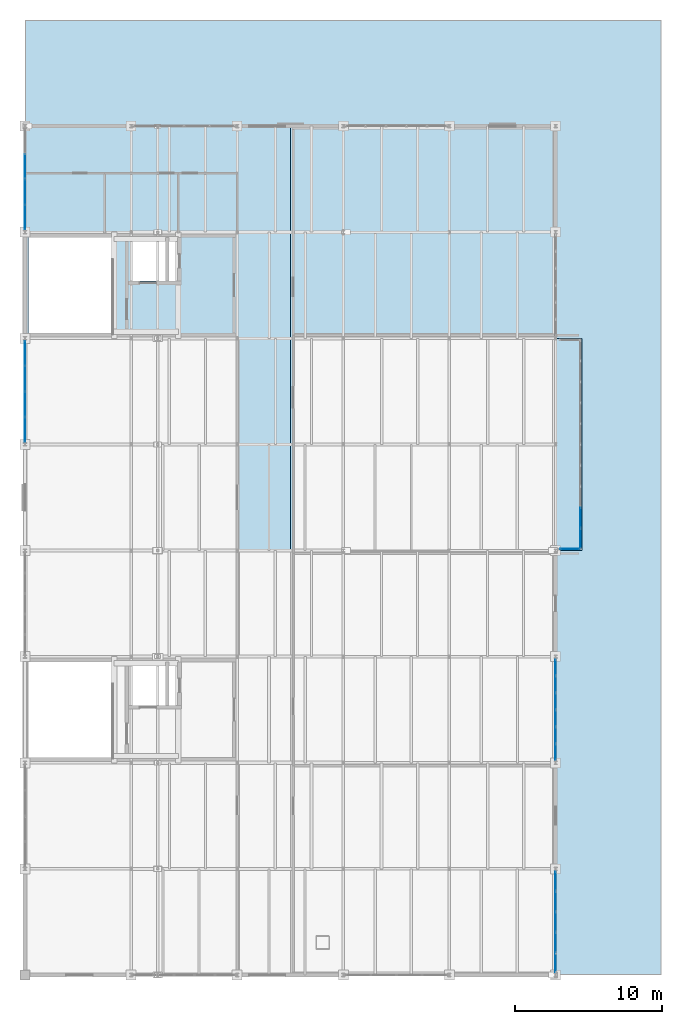
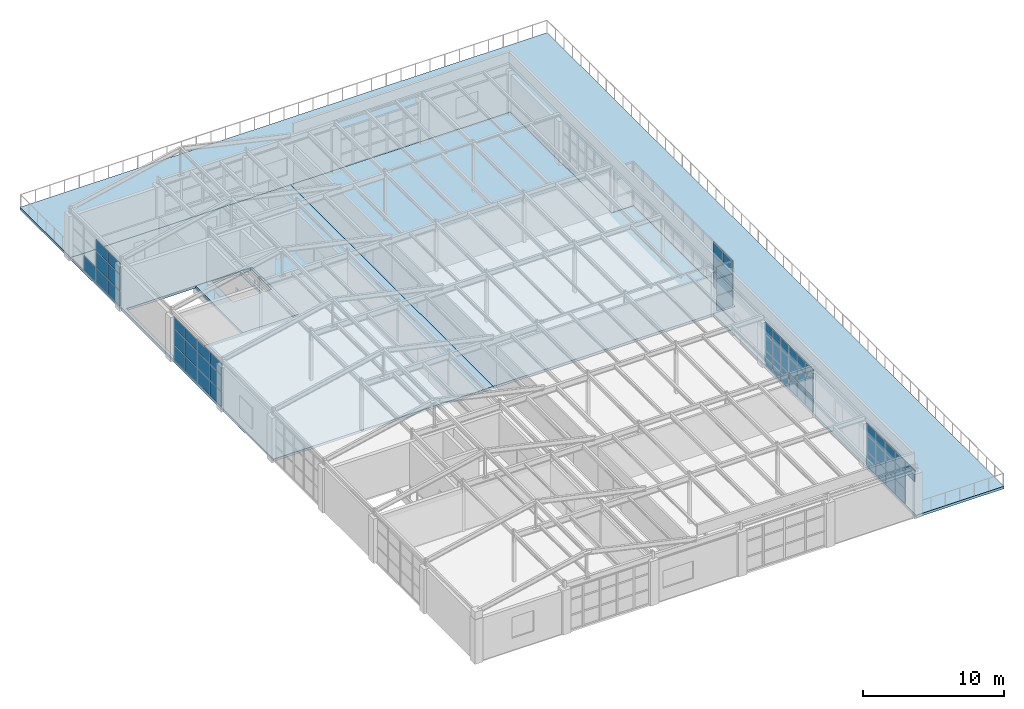
# One storey, part 37 of 43: 59 plates, 4 slabs, 6 elements without a shape of their own.
"""IFC4 building model written with IfcOpenShell, lengths in metres."""

import ifcopenshell
import ifcopenshell.guid

model = None  # the IFC model being written
_history = None  # IfcOwnerHistory: only IFC2X3 demands one
_inside = {}  # id of a spatial element -> (the spatial element, [elements in it])
_under = {}  # id of a project, library or spatial element -> (it, [spatial elements below it])
_declared = {}  # id of a project -> (the project, [libraries it declares])
_typed = {}  # id of a type object -> (the type object, [elements of that type])
_made_of = {}  # id of a material, layer set ... -> (it, [elements and type objects made of it])


def new_model(schema):
    """Start an empty IFC model of exactly this schema.

    Asked for "IFC4X3", IfcOpenShell would pick the latest addendum, in which some entities
    have other attributes; the version numbers below select the first issue.
    IFC2X3 requires an IfcOwnerHistory on every rooted entity: one is made here for all.
    """
    global model, _history
    if schema == "IFC4X3":
        model = ifcopenshell.file(schema_version=(4, 3, 0, 0))
    else:
        model = ifcopenshell.file(schema=schema)
    _inside.clear()
    _under.clear()
    _declared.clear()
    _typed.clear()
    _made_of.clear()
    _history = None
    if model.schema == "IFC2X3":
        org = make("IfcOrganization", Name="unknown")
        user = make(
            "IfcPersonAndOrganization",
            ThePerson=make("IfcPerson", FamilyName="unknown"),
            TheOrganization=org,
        )
        app = make(
            "IfcApplication",
            ApplicationDeveloper=org,
            Version="unknown",
            ApplicationFullName="unknown",
            ApplicationIdentifier="unknown",
        )
        _history = make(
            "IfcOwnerHistory",
            OwningUser=user,
            OwningApplication=app,
            ChangeAction="ADDED",
            CreationDate=0,
        )
    return model


def make(cls, **values):
    """One entity of the class cls with the attributes given. An attribute that is None is left unset."""
    return model.create_entity(
        cls, **{name: value for name, value in values.items() if value is not None}
    )


def rooted(cls, **values):
    """An entity with a GlobalId (a new one), such as an element, a storey or a relation."""
    return make(cls, GlobalId=ifcopenshell.guid.new(), OwnerHistory=_history, **values)


def si_unit(unit_type, name, prefix=None):
    """IfcSIUnit, for example si_unit("LENGTHUNIT", "METRE", prefix="MILLI")."""
    return make("IfcSIUnit", UnitType=unit_type, Prefix=prefix, Name=name)


def assignment(units):
    """IfcUnitAssignment: the units of a project."""
    return None if units is None else make("IfcUnitAssignment", Units=units)


def point(xyz):
    """IfcCartesianPoint."""
    return None if xyz is None else make("IfcCartesianPoint", Coordinates=xyz)


def direction(xyz):
    """IfcDirection."""
    return None if xyz is None else make("IfcDirection", DirectionRatios=xyz)


def frame(location, z_axis=None, x_axis=None):
    """IfcAxis2Placement3D, a coordinate frame: its origin and axes. An axis left out is left unset."""
    return make(
        "IfcAxis2Placement3D",
        Location=point(location),
        Axis=direction(z_axis),
        RefDirection=direction(x_axis),
    )


def frame_2d(location, x_axis=None):
    """IfcAxis2Placement2D, a coordinate frame in the plane: its origin and x axis."""
    return make(
        "IfcAxis2Placement2D", Location=point(location), RefDirection=direction(x_axis)
    )


def origin():
    """The frame at (0, 0, 0) with its axes left unset."""
    return frame((0.0, 0.0, 0.0))


def origin_2d():
    """The frame at (0, 0) in the plane with its x axis left unset."""
    return frame_2d((0.0, 0.0))


def place(relative_to, where):
    """IfcLocalPlacement: puts the frame where relative to a parent placement (None: the world)."""
    return make(
        "IfcLocalPlacement", PlacementRelTo=relative_to, RelativePlacement=where
    )


def context(
    kind, dimensions, precision=None, world=None, true_north=None, identifier=None
):
    """IfcGeometricRepresentationContext, for example the 3D "Model" context."""
    return make(
        "IfcGeometricRepresentationContext",
        ContextIdentifier=identifier,
        ContextType=kind,
        CoordinateSpaceDimension=dimensions,
        Precision=precision,
        WorldCoordinateSystem=world,
        TrueNorth=true_north,
    )


def subcontext(parent, identifier, kind, view, scale=None):
    """IfcGeometricRepresentationSubContext, for example "Body" below "Model"."""
    return make(
        "IfcGeometricRepresentationSubContext",
        ContextIdentifier=identifier,
        ContextType=kind,
        ParentContext=parent,
        TargetScale=scale,
        TargetView=view,
    )


def project(units=None, contexts=None):
    """IfcProject with its units and contexts."""
    return rooted(
        "IfcProject",
        Name="project",
        RepresentationContexts=contexts,
        UnitsInContext=assignment(units),
    )


def spatial(cls, under=None, at=None, **own):
    """A site, building, storey or space (cls), placed at a placement, below another one or the project."""
    s = rooted(cls, ObjectPlacement=at, **own)
    if under is not None:
        _under.setdefault(under.id(), (under, []))[1].append(s)
    return s


def polyline(points):
    """IfcPolyline through the points."""
    return make("IfcPolyline", Points=[point(p) for p in points])


def profile(cls, at=None, kind="AREA", **sizes):
    """A parametric profile (cls). Its sizes go by their IFC names, for example OverallWidth=200.0."""
    return make(cls, ProfileType=kind, Position=at, **sizes)


def rectangle(**sizes):
    """IfcRectangleProfileDef."""
    return profile("IfcRectangleProfileDef", **sizes)


def outline(outer, holes=None, kind="AREA"):
    """IfcArbitraryClosedProfileDef: a profile drawn as a closed curve; with holes, ...WithVoids."""
    if holes is None:
        return make("IfcArbitraryClosedProfileDef", ProfileType=kind, OuterCurve=outer)
    return make(
        "IfcArbitraryProfileDefWithVoids",
        ProfileType=kind,
        OuterCurve=outer,
        InnerCurves=holes,
    )


def extrude(swept, where, along, depth):
    """IfcExtrudedAreaSolid: the profile swept, set in the frame where, extruded along a direction by depth."""
    return make(
        "IfcExtrudedAreaSolid",
        SweptArea=swept,
        Position=where,
        ExtrudedDirection=direction(along),
        Depth=depth,
    )


def shape(context_of_items, identifier, shape_type, items):
    """IfcShapeRepresentation: the items that make up one representation, for example the "Body"."""
    return make(
        "IfcShapeRepresentation",
        ContextOfItems=context_of_items,
        RepresentationIdentifier=identifier,
        RepresentationType=shape_type,
        Items=items,
    )


def material(Name=None, Category=None):
    """IfcMaterial."""
    return make("IfcMaterial", Name=Name, Category=Category)


def layer(
    of_material, thickness, ventilated=None, Name=None, Category=None, Priority=None
):
    """IfcMaterialLayer: one layer of a wall or slab, of a material (None: an air gap)."""
    return make(
        "IfcMaterialLayer",
        Material=of_material,
        LayerThickness=thickness,
        IsVentilated=ventilated,
        Name=Name,
        Category=Category,
        Priority=Priority,
    )


def layer_set(layers, Name=None):
    """IfcMaterialLayerSet."""
    return make("IfcMaterialLayerSet", MaterialLayers=layers, LayerSetName=Name)


def made_of(thing, what):
    """Note that an element or type object is made of a material, layer set ...; save() writes the relation."""
    if what is not None:
        _made_of.setdefault(what.id(), (what, []))[1].append(thing)
    return thing


def type_object(cls, material=None, **own):
    """A type object (cls), such as IfcWallType, which elements share."""
    return made_of(rooted(cls, **own), material)


def element(
    cls,
    number,
    at=None,
    inside=None,
    cuts=None,
    type_object=None,
    material=None,
    context=None,
    identifier="Body",
    shape_type=None,
    held_by="IfcProductDefinitionShape",
    body=None,
    shapes=None,
    **own,
):
    """One element of the class cls, such as IfcWall. Its Tag is "e" and its number.

    at: its placement. inside: the storey or other place that contains it. cuts: it is an
    opening in that element (IfcRelVoidsElement). A single representation is given by context,
    identifier, shape_type and body (its items); several are given by shapes. held_by: the class
    of the entity that holds the representations. save() writes the other relations.
    """
    e = rooted(cls, Tag="e%d" % number, ObjectPlacement=at, **own)
    if body is not None:
        shapes = [shape(context, identifier, shape_type, body)]
    if shapes is not None:
        e.Representation = make(held_by, Representations=shapes)
    if inside is not None:
        _inside.setdefault(inside.id(), (inside, []))[1].append(e)
    if cuts is not None:
        rooted(
            "IfcRelVoidsElement", RelatingBuildingElement=cuts, RelatedOpeningElement=e
        )
    if type_object is not None:
        _typed.setdefault(type_object.id(), (type_object, []))[1].append(e)
    return made_of(e, material)


def aggregate(whole, parts):
    """IfcRelAggregates: a whole, such as a stair, and the parts it consists of."""
    return rooted("IfcRelAggregates", RelatingObject=whole, RelatedObjects=parts)


def save(model, path):
    """Write the relations noted so far, then the file.

    IfcRelAggregates (storeys below a building ...), IfcRelContainedInSpatialStructure (elements
    in a storey), IfcRelDefinesByType, IfcRelAssociatesMaterial and IfcRelDeclares: one each for
    every whole, place, type object, material and project.
    """
    for whole, parts in _under.values():
        aggregate(whole, parts)
    for where, things in _inside.values():
        rooted(
            "IfcRelContainedInSpatialStructure",
            RelatedElements=things,
            RelatingStructure=where,
        )
    for kind, things in _typed.values():
        rooted("IfcRelDefinesByType", RelatedObjects=things, RelatingType=kind)
    for what, things in _made_of.values():
        rooted("IfcRelAssociatesMaterial", RelatedObjects=things, RelatingMaterial=what)
    for by, libraries in _declared.values():
        rooted("IfcRelDeclares", RelatingContext=by, RelatedDefinitions=libraries)
    model.write(path)


model = new_model("IFC4")

# Units and contexts
model_context = context("Model", 3, precision=1e-05, world=origin(), true_north=direction((0.0, 1.0)))
body_context = subcontext(model_context, "Body", "Model", "MODEL_VIEW")
ifc_project = project(units=[si_unit("LENGTHUNIT", "METRE"), si_unit("AREAUNIT", "SQUARE_METRE"), si_unit("VOLUMEUNIT", "CUBIC_METRE"), si_unit("PLANEANGLEUNIT", "RADIAN"), si_unit("MASSUNIT", "GRAM", prefix="KILO")], contexts=[model_context])

# Site, building, storey
site_placement = place(None, origin())
site = spatial("IfcSite", under=ifc_project, at=site_placement, CompositionType="ELEMENT")
building_placement = place(site_placement, origin())
building = spatial("IfcBuilding", under=site, at=building_placement, Name="Kemerveld Promenade Tramway Depot", CompositionType="ELEMENT")
storey_placement = place(building_placement, frame((0.0, 0.0, 18.89990234375)))
storey = spatial("IfcBuildingStorey", under=building, at=storey_placement, Name="L04", CompositionType="ELEMENT", Elevation=18.89990234375)

# Curtain wall, plates
ifc_material_1 = material(Name="Bronze anodised aluminium and solar glass", Category="aluminium")
ifc_layer_1 = layer(ifc_material_1, 0.159912109375)
ifc_layer_set_1 = layer_set([ifc_layer_1], Name="CW-SYS-09")
curtain_wall_type_1 = type_object("IfcCurtainWallType", Name="CW-SYS-09", PredefinedType="USERDEFINED", material=ifc_layer_set_1)
curtain_wall_1_placement = place(storey_placement, origin())
curtain_wall_1 = element("IfcCurtainWall", 1, at=curtain_wall_1_placement, inside=storey, type_object=curtain_wall_type_1, Name="CW-L04-V5W-06", ObjectType="GLAZED_CURTAIN_WALL", PredefinedType="USERDEFINED")
ifc_material_2 = material(Name="Solar-control laminated double glazing", Category="glass")
ifc_layer_2 = layer(ifc_material_2, 0.028076171875)
ifc_layer_set_2 = layer_set([ifc_layer_2], Name="CW-PNL-01")
plate_type_1 = type_object("IfcPlateType", Name="CW-PNL-01", PredefinedType="CURTAIN_PANEL", material=ifc_layer_set_2)
plate_1_placement = place(storey_placement, frame((0.0, 37.009765625, 0.06005859375), z_axis=(0.0, 0.0, 1.0), x_axis=(0.0, 1.0, 0.0)))
plate_1 = element("IfcPlate", 2, at=plate_1_placement, type_object=plate_type_1, Name="CW09 panel 1.1", PredefinedType="CURTAIN_PANEL", context=body_context, shape_type="SweptSolid", body=[
    extrude(rectangle(XDim=1.64013671875, YDim=0.028076171875, at=origin_2d()), origin(), (0.0, 0.0, 1.0), 1.257080078125),
])
plate_2_placement = place(storey_placement, frame((0.0, 37.009765625, 1.376953125), z_axis=(0.0, 0.0, 1.0), x_axis=(0.0, 1.0, 0.0)))
plate_2 = element("IfcPlate", 3, at=plate_2_placement, type_object=plate_type_1, Name="CW09 panel 1.2", PredefinedType="CURTAIN_PANEL", context=body_context, shape_type="SweptSolid", body=[
    extrude(rectangle(XDim=1.64013671875, YDim=0.028076171875, at=origin_2d()), origin(), (0.0, 0.0, 1.0), 1.364990234375),
])
plate_3_placement = place(storey_placement, frame((0.0, 37.009765625, 2.80224609375), z_axis=(0.0, 0.0, 1.0), x_axis=(0.0, 1.0, 0.0)))
plate_3 = element("IfcPlate", 4, at=plate_3_placement, type_object=plate_type_1, Name="CW09 panel 1.3", PredefinedType="CURTAIN_PANEL", context=body_context, shape_type="SweptSolid", body=[
    extrude(rectangle(XDim=1.64013671875, YDim=0.028076171875, at=origin_2d()), origin(), (0.0, 0.0, 1.0), 0.988037109375),
])
plate_4_placement = place(storey_placement, frame((0.0, 38.731201171875, 0.06005859375), z_axis=(0.0, 0.0, 1.0), x_axis=(0.0, 1.0, 0.0)))
plate_4 = element("IfcPlate", 5, at=plate_4_placement, type_object=plate_type_1, Name="CW09 panel 2.1", PredefinedType="CURTAIN_PANEL", context=body_context, shape_type="SweptSolid", body=[
    extrude(rectangle(XDim=1.672607421875, YDim=0.028076171875, at=origin_2d()), origin(), (0.0, 0.0, 1.0), 1.257080078125),
])
plate_5_placement = place(storey_placement, frame((0.0, 38.731201171875, 1.376953125), z_axis=(0.0, 0.0, 1.0), x_axis=(0.0, 1.0, 0.0)))
plate_5 = element("IfcPlate", 6, at=plate_5_placement, type_object=plate_type_1, Name="CW09 panel 2.2", PredefinedType="CURTAIN_PANEL", context=body_context, shape_type="SweptSolid", body=[
    extrude(rectangle(XDim=1.672607421875, YDim=0.028076171875, at=origin_2d()), origin(), (0.0, 0.0, 1.0), 1.364990234375),
])
plate_6_placement = place(storey_placement, frame((0.0, 38.731201171875, 2.80224609375), z_axis=(0.0, 0.0, 1.0), x_axis=(0.0, 1.0, 0.0)))
plate_6 = element("IfcPlate", 7, at=plate_6_placement, type_object=plate_type_1, Name="CW09 panel 2.3", PredefinedType="CURTAIN_PANEL", context=body_context, shape_type="SweptSolid", body=[
    extrude(rectangle(XDim=1.672607421875, YDim=0.028076171875, at=origin_2d()), origin(), (0.0, 0.0, 1.0), 0.988037109375),
])
plate_7_placement = place(storey_placement, frame((0.0, 40.46875, 0.06005859375), z_axis=(0.0, 0.0, 1.0), x_axis=(0.0, 1.0, 0.0)))
plate_7 = element("IfcPlate", 8, at=plate_7_placement, type_object=plate_type_1, Name="CW09 panel 3.1", PredefinedType="CURTAIN_PANEL", context=body_context, shape_type="SweptSolid", body=[
    extrude(rectangle(XDim=1.672607421875, YDim=0.028076171875, at=origin_2d()), origin(), (0.0, 0.0, 1.0), 1.257080078125),
])
plate_8_placement = place(storey_placement, frame((0.0, 40.46875, 1.376953125), z_axis=(0.0, 0.0, 1.0), x_axis=(0.0, 1.0, 0.0)))
plate_8 = element("IfcPlate", 9, at=plate_8_placement, type_object=plate_type_1, Name="CW09 panel 3.2", PredefinedType="CURTAIN_PANEL", context=body_context, shape_type="SweptSolid", body=[
    extrude(rectangle(XDim=1.672607421875, YDim=0.028076171875, at=origin_2d()), origin(), (0.0, 0.0, 1.0), 1.364990234375),
])
plate_9_placement = place(storey_placement, frame((0.0, 40.46875, 2.80224609375), z_axis=(0.0, 0.0, 1.0), x_axis=(0.0, 1.0, 0.0)))
plate_9 = element("IfcPlate", 10, at=plate_9_placement, type_object=plate_type_1, Name="CW09 panel 3.3", PredefinedType="CURTAIN_PANEL", context=body_context, shape_type="SweptSolid", body=[
    extrude(rectangle(XDim=1.672607421875, YDim=0.028076171875, at=origin_2d()), origin(), (0.0, 0.0, 1.0), 0.988037109375),
])
plate_10_placement = place(storey_placement, frame((0.0, 42.190185546875, 0.06005859375), z_axis=(0.0, 0.0, 1.0), x_axis=(0.0, 1.0, 0.0)))
plate_10 = element("IfcPlate", 11, at=plate_10_placement, type_object=plate_type_1, Name="CW09 panel 4.1", PredefinedType="CURTAIN_PANEL", context=body_context, shape_type="SweptSolid", body=[
    extrude(rectangle(XDim=1.64013671875, YDim=0.028076171875, at=origin_2d()), origin(), (0.0, 0.0, 1.0), 1.257080078125),
])
plate_11_placement = place(storey_placement, frame((0.0, 42.190185546875, 1.376953125), z_axis=(0.0, 0.0, 1.0), x_axis=(0.0, 1.0, 0.0)))
plate_11 = element("IfcPlate", 12, at=plate_11_placement, type_object=plate_type_1, Name="CW09 panel 4.2", PredefinedType="CURTAIN_PANEL", context=body_context, shape_type="SweptSolid", body=[
    extrude(rectangle(XDim=1.64013671875, YDim=0.028076171875, at=origin_2d()), origin(), (0.0, 0.0, 1.0), 1.364990234375),
])
plate_12_placement = place(storey_placement, frame((0.0, 42.190185546875, 2.80224609375), z_axis=(0.0, 0.0, 1.0), x_axis=(0.0, 1.0, 0.0)))
plate_12 = element("IfcPlate", 13, at=plate_12_placement, type_object=plate_type_1, Name="CW09 panel 4.3", PredefinedType="CURTAIN_PANEL", context=body_context, shape_type="SweptSolid", body=[
    extrude(rectangle(XDim=1.64013671875, YDim=0.028076171875, at=origin_2d()), origin(), (0.0, 0.0, 1.0), 0.988037109375),
])
aggregate(curtain_wall_1, [plate_1, plate_2, plate_3, plate_4, plate_5, plate_6, plate_7, plate_8, plate_9, plate_10, plate_11, plate_12])

ifc_layer_3 = layer(ifc_material_1, 0.199951171875)
ifc_layer_set_3 = layer_set([ifc_layer_3], Name="CW-SYS-02")
curtain_wall_type_2 = type_object("IfcCurtainWallType", Name="CW-SYS-02", PredefinedType="USERDEFINED", material=ifc_layer_set_3)
curtain_wall_2_placement = place(storey_placement, origin())
curtain_wall_2 = element("IfcCurtainWall", 14, at=curtain_wall_2_placement, inside=storey, type_object=curtain_wall_type_2, Name="CW-L04-CUMBA-E", ObjectType="GLAZED_CURTAIN_WALL", PredefinedType="USERDEFINED")
ifc_layer_4 = layer(ifc_material_2, 0.028076171875)
ifc_layer_set_4 = layer_set([ifc_layer_4], Name="CW-PNL-02")
plate_type_2 = type_object("IfcPlateType", Name="CW-PNL-02", PredefinedType="CURTAIN_PANEL", material=ifc_layer_set_4)
plate_13_placement = place(storey_placement, frame((37.699951171875, 31.030029296875, 0.06494140625), z_axis=(0.0, 0.0, 1.0), x_axis=(0.0, -1.0, 0.0)))
plate_13 = element("IfcPlate", 15, at=plate_13_placement, type_object=plate_type_2, Name="CW02 panel 9.1", PredefinedType="CURTAIN_PANEL", context=body_context, shape_type="SweptSolid", body=[
    extrude(rectangle(XDim=1.344970703125, YDim=0.028076171875, at=origin_2d()), origin(), (0.0, 0.0, 1.0), 1.284423828125),
])
plate_14_placement = place(storey_placement, frame((37.699951171875, 31.030029296875, 1.41455078125), z_axis=(0.0, 0.0, 1.0), x_axis=(0.0, -1.0, 0.0)))
plate_14 = element("IfcPlate", 16, at=plate_14_placement, type_object=plate_type_2, Name="CW02 panel 9.2", PredefinedType="CURTAIN_PANEL", context=body_context, shape_type="SweptSolid", body=[
    extrude(rectangle(XDim=1.344970703125, YDim=0.028076171875, at=origin_2d()), origin(), (0.0, 0.0, 1.0), 1.39697265625),
])
plate_15_placement = place(storey_placement, frame((37.699951171875, 31.030029296875, 2.87646484375), z_axis=(0.0, 0.0, 1.0), x_axis=(0.0, -1.0, 0.0)))
plate_15 = element("IfcPlate", 17, at=plate_15_placement, type_object=plate_type_2, Name="CW02 panel 9.3", PredefinedType="CURTAIN_PANEL", context=body_context, shape_type="SweptSolid", body=[
    extrude(rectangle(XDim=1.344970703125, YDim=0.028076171875, at=origin_2d()), origin(), (0.0, 0.0, 1.0), 1.008544921875),
])
plate_16_placement = place(storey_placement, frame((37.699951171875, 29.628662109375, 0.06494140625), z_axis=(0.0, 0.0, 1.0), x_axis=(0.0, -1.0, 0.0)))
plate_16 = element("IfcPlate", 18, at=plate_16_placement, type_object=plate_type_2, Name="CW02 panel 10.1", PredefinedType="CURTAIN_PANEL", context=body_context, shape_type="SweptSolid", body=[
    extrude(rectangle(XDim=1.3076171875, YDim=0.028076171875, at=origin_2d()), origin(), (0.0, 0.0, 1.0), 1.284423828125),
])
plate_17_placement = place(storey_placement, frame((37.699951171875, 29.628662109375, 1.41455078125), z_axis=(0.0, 0.0, 1.0), x_axis=(0.0, -1.0, 0.0)))
plate_17 = element("IfcPlate", 19, at=plate_17_placement, type_object=plate_type_2, Name="CW02 panel 10.2", PredefinedType="CURTAIN_PANEL", context=body_context, shape_type="SweptSolid", body=[
    extrude(rectangle(XDim=1.3076171875, YDim=0.028076171875, at=origin_2d()), origin(), (0.0, 0.0, 1.0), 1.39697265625),
])
plate_18_placement = place(storey_placement, frame((37.699951171875, 29.628662109375, 2.87646484375), z_axis=(0.0, 0.0, 1.0), x_axis=(0.0, -1.0, 0.0)))
plate_18 = element("IfcPlate", 20, at=plate_18_placement, type_object=plate_type_2, Name="CW02 panel 10.3", PredefinedType="CURTAIN_PANEL", context=body_context, shape_type="SweptSolid", body=[
    extrude(rectangle(XDim=1.3076171875, YDim=0.028076171875, at=origin_2d()), origin(), (0.0, 0.0, 1.0), 1.008544921875),
])
aggregate(curtain_wall_2, [plate_13, plate_14, plate_15, plate_16, plate_17, plate_18])

ifc_layer_5 = layer(ifc_material_1, 0.159912109375)
ifc_layer_set_5 = layer_set([ifc_layer_5], Name="CW-SYS-11")
curtain_wall_type_3 = type_object("IfcCurtainWallType", Name="CW-SYS-11", PredefinedType="USERDEFINED", material=ifc_layer_set_5)
curtain_wall_3_placement = place(storey_placement, origin())
curtain_wall_3 = element("IfcCurtainWall", 21, at=curtain_wall_3_placement, inside=storey, type_object=curtain_wall_type_3, Name="CW-L04-V5W-08", ObjectType="GLAZED_CURTAIN_WALL", PredefinedType="USERDEFINED")
ifc_layer_6 = layer(ifc_material_2, 0.028076171875)
ifc_layer_set_6 = layer_set([ifc_layer_6], Name="CW-PNL-03")
plate_type_3 = type_object("IfcPlateType", Name="CW-PNL-03", PredefinedType="CURTAIN_PANEL", material=ifc_layer_set_6)
plate_19_placement = place(storey_placement, frame((0.0, 51.409912109375, 0.06005859375), z_axis=(0.0, 0.0, 1.0), x_axis=(0.0, 1.0, 0.0)))
plate_19 = element("IfcPlate", 22, at=plate_19_placement, type_object=plate_type_3, Name="CW11 panel 1.1", PredefinedType="CURTAIN_PANEL", context=body_context, shape_type="SweptSolid", body=[
    extrude(rectangle(XDim=1.64013671875, YDim=0.028076171875, at=origin_2d()), origin(), (0.0, 0.0, 1.0), 1.257080078125),
])
plate_20_placement = place(storey_placement, frame((0.0, 51.409912109375, 1.376953125), z_axis=(0.0, 0.0, 1.0), x_axis=(0.0, 1.0, 0.0)))
plate_20 = element("IfcPlate", 23, at=plate_20_placement, type_object=plate_type_3, Name="CW11 panel 1.2", PredefinedType="CURTAIN_PANEL", context=body_context, shape_type="SweptSolid", body=[
    extrude(rectangle(XDim=1.64013671875, YDim=0.028076171875, at=origin_2d()), origin(), (0.0, 0.0, 1.0), 1.364990234375),
])
plate_21_placement = place(storey_placement, frame((0.0, 51.409912109375, 2.80224609375), z_axis=(0.0, 0.0, 1.0), x_axis=(0.0, 1.0, 0.0)))
plate_21 = element("IfcPlate", 24, at=plate_21_placement, type_object=plate_type_3, Name="CW11 panel 1.3", PredefinedType="CURTAIN_PANEL", context=body_context, shape_type="SweptSolid", body=[
    extrude(rectangle(XDim=1.64013671875, YDim=0.028076171875, at=origin_2d()), origin(), (0.0, 0.0, 1.0), 0.988037109375),
])
plate_22_placement = place(storey_placement, frame((0.0, 53.131103515625, 0.06005859375), z_axis=(0.0, 0.0, 1.0), x_axis=(0.0, 1.0, 0.0)))
plate_22 = element("IfcPlate", 25, at=plate_22_placement, type_object=plate_type_3, Name="CW11 panel 2.1", PredefinedType="CURTAIN_PANEL", context=body_context, shape_type="SweptSolid", body=[
    extrude(rectangle(XDim=1.672607421875, YDim=0.028076171875, at=origin_2d()), origin(), (0.0, 0.0, 1.0), 1.257080078125),
])
plate_23_placement = place(storey_placement, frame((0.0, 53.131103515625, 1.376953125), z_axis=(0.0, 0.0, 1.0), x_axis=(0.0, 1.0, 0.0)))
plate_23 = element("IfcPlate", 26, at=plate_23_placement, type_object=plate_type_3, Name="CW11 panel 2.2", PredefinedType="CURTAIN_PANEL", context=body_context, shape_type="SweptSolid", body=[
    extrude(rectangle(XDim=1.672607421875, YDim=0.028076171875, at=origin_2d()), origin(), (0.0, 0.0, 1.0), 1.364990234375),
])
plate_24_placement = place(storey_placement, frame((0.0, 53.131103515625, 2.80224609375), z_axis=(0.0, 0.0, 1.0), x_axis=(0.0, 1.0, 0.0)))
plate_24 = element("IfcPlate", 27, at=plate_24_placement, type_object=plate_type_3, Name="CW11 panel 2.3", PredefinedType="CURTAIN_PANEL", context=body_context, shape_type="SweptSolid", body=[
    extrude(rectangle(XDim=1.672607421875, YDim=0.028076171875, at=origin_2d()), origin(), (0.0, 0.0, 1.0), 0.988037109375),
])
plate_25_placement = place(storey_placement, frame((0.0, 54.868896484375, 0.06005859375), z_axis=(0.0, 0.0, 1.0), x_axis=(0.0, 1.0, 0.0)))
plate_25 = element("IfcPlate", 28, at=plate_25_placement, type_object=plate_type_3, Name="CW11 panel 3.1", PredefinedType="CURTAIN_PANEL", context=body_context, shape_type="SweptSolid", body=[
    extrude(rectangle(XDim=1.672607421875, YDim=0.028076171875, at=origin_2d()), origin(), (0.0, 0.0, 1.0), 1.257080078125),
])
aggregate(curtain_wall_3, [plate_19, plate_20, plate_21, plate_22, plate_23, plate_24, plate_25])

ifc_layer_7 = layer(ifc_material_1, 0.199951171875)
ifc_layer_set_7 = layer_set([ifc_layer_7], Name="CW-SYS-04")
curtain_wall_type_4 = type_object("IfcCurtainWallType", Name="CW-SYS-04", PredefinedType="USERDEFINED", material=ifc_layer_set_7)
curtain_wall_4_placement = place(storey_placement, origin())
curtain_wall_4 = element("IfcCurtainWall", 29, at=curtain_wall_4_placement, inside=storey, type_object=curtain_wall_type_4, Name="CW-L04-CUMBA-S", ObjectType="GLAZED_CURTAIN_WALL", PredefinedType="USERDEFINED")
ifc_layer_8 = layer(ifc_material_2, 0.031982421875)
ifc_layer_set_8 = layer_set([ifc_layer_8], Name="CW-PNL-04")
plate_type_4 = type_object("IfcPlateType", Name="CW-PNL-04", PredefinedType="CURTAIN_PANEL", material=ifc_layer_set_8)
plate_26_placement = place(storey_placement, frame((36.97509765625, 28.89990234375, 0.06494140625), z_axis=(0.0, 0.0, 1.0), x_axis=(-1.0, 0.0, 0.0)))
plate_26 = element("IfcPlate", 30, at=plate_26_placement, type_object=plate_type_4, Name="CW04 panel 1.1", PredefinedType="CURTAIN_PANEL", context=body_context, shape_type="SweptSolid", body=[
    extrude(rectangle(XDim=1.300048828125, YDim=0.031982421875, at=origin_2d()), origin(), (0.0, 0.0, 1.0), 1.284423828125),
])
plate_27_placement = place(storey_placement, frame((36.97509765625, 28.89990234375, 1.41455078125), z_axis=(0.0, 0.0, 1.0), x_axis=(-1.0, 0.0, 0.0)))
plate_27 = element("IfcPlate", 31, at=plate_27_placement, type_object=plate_type_4, Name="CW04 panel 1.2", PredefinedType="CURTAIN_PANEL", context=body_context, shape_type="SweptSolid", body=[
    extrude(rectangle(XDim=1.300048828125, YDim=0.031982421875, at=origin_2d()), origin(), (0.0, 0.0, 1.0), 1.39697265625),
])
plate_28_placement = place(storey_placement, frame((36.97509765625, 28.89990234375, 2.87646484375), z_axis=(0.0, 0.0, 1.0), x_axis=(-1.0, 0.0, 0.0)))
plate_28 = element("IfcPlate", 32, at=plate_28_placement, type_object=plate_type_4, Name="CW04 panel 1.3", PredefinedType="CURTAIN_PANEL", context=body_context, shape_type="SweptSolid", body=[
    extrude(rectangle(XDim=1.300048828125, YDim=0.031982421875, at=origin_2d()), origin(), (0.0, 0.0, 1.0), 1.008544921875),
])
aggregate(curtain_wall_4, [plate_26, plate_27, plate_28])

ifc_layer_9 = layer(ifc_material_1, 0.199951171875)
ifc_layer_set_9 = layer_set([ifc_layer_9], Name="CW-SYS-06")
curtain_wall_type_5 = type_object("IfcCurtainWallType", Name="CW-SYS-06", PredefinedType="USERDEFINED", material=ifc_layer_set_9)
curtain_wall_5_placement = place(storey_placement, origin())
curtain_wall_5 = element("IfcCurtainWall", 33, at=curtain_wall_5_placement, inside=storey, type_object=curtain_wall_type_5, Name="CW-L04-V5ES-02", ObjectType="GLAZED_CURTAIN_WALL", PredefinedType="USERDEFINED")
ifc_layer_10 = layer(ifc_material_2, 0.02587890625)
ifc_layer_set_10 = layer_set([ifc_layer_10], Name="CW-PNL-06")
plate_type_5 = type_object("IfcPlateType", Name="CW-PNL-06", PredefinedType="CURTAIN_PANEL", material=ifc_layer_set_10)
plate_29_placement = place(storey_placement, frame((36.0, 20.877197265625, 0.065185546875), z_axis=(0.0, 0.0, 1.0), x_axis=(0.0, -1.0, 0.0)))
plate_29 = element("IfcPlate", 34, at=plate_29_placement, type_object=plate_type_5, Name="CW06 panel 1.1", PredefinedType="CURTAIN_PANEL", context=body_context, shape_type="SweptSolid", body=[
    extrude(rectangle(XDim=1.0458984375, YDim=0.02587890625, at=origin_2d()), origin(), (0.0, 0.0, 1.0), 1.24951171875),
])
plate_30_placement = place(storey_placement, frame((36.0, 20.877197265625, 1.37939453125), z_axis=(0.0, 0.0, 1.0), x_axis=(0.0, -1.0, 0.0)))
plate_30 = element("IfcPlate", 35, at=plate_30_placement, type_object=plate_type_5, Name="CW06 panel 1.2", PredefinedType="CURTAIN_PANEL", context=body_context, shape_type="SweptSolid", body=[
    extrude(rectangle(XDim=1.0458984375, YDim=0.02587890625, at=origin_2d()), origin(), (0.0, 0.0, 1.0), 1.360107421875),
])
plate_31_placement = place(storey_placement, frame((36.0, 20.877197265625, 2.8046875), z_axis=(0.0, 0.0, 1.0), x_axis=(0.0, -1.0, 0.0)))
plate_31 = element("IfcPlate", 36, at=plate_31_placement, type_object=plate_type_5, Name="CW06 panel 1.3", PredefinedType="CURTAIN_PANEL", context=body_context, shape_type="SweptSolid", body=[
    extrude(rectangle(XDim=1.0458984375, YDim=0.02587890625, at=origin_2d()), origin(), (0.0, 0.0, 1.0), 0.98046875),
])
plate_32_placement = place(storey_placement, frame((36.0, 19.737548828125, 0.065185546875), z_axis=(0.0, 0.0, 1.0), x_axis=(0.0, -1.0, 0.0)))
plate_32 = element("IfcPlate", 37, at=plate_32_placement, type_object=plate_type_5, Name="CW06 panel 2.1", PredefinedType="CURTAIN_PANEL", context=body_context, shape_type="SweptSolid", body=[
    extrude(rectangle(XDim=1.08349609375, YDim=0.02587890625, at=origin_2d()), origin(), (0.0, 0.0, 1.0), 1.24951171875),
])
plate_33_placement = place(storey_placement, frame((36.0, 19.737548828125, 1.37939453125), z_axis=(0.0, 0.0, 1.0), x_axis=(0.0, -1.0, 0.0)))
plate_33 = element("IfcPlate", 38, at=plate_33_placement, type_object=plate_type_5, Name="CW06 panel 2.2", PredefinedType="CURTAIN_PANEL", context=body_context, shape_type="SweptSolid", body=[
    extrude(rectangle(XDim=1.08349609375, YDim=0.02587890625, at=origin_2d()), origin(), (0.0, 0.0, 1.0), 1.360107421875),
])
plate_34_placement = place(storey_placement, frame((36.0, 19.737548828125, 2.8046875), z_axis=(0.0, 0.0, 1.0), x_axis=(0.0, -1.0, 0.0)))
plate_34 = element("IfcPlate", 39, at=plate_34_placement, type_object=plate_type_5, Name="CW06 panel 2.3", PredefinedType="CURTAIN_PANEL", context=body_context, shape_type="SweptSolid", body=[
    extrude(rectangle(XDim=1.08349609375, YDim=0.02587890625, at=origin_2d()), origin(), (0.0, 0.0, 1.0), 0.98046875),
])
plate_35_placement = place(storey_placement, frame((36.0, 18.5791015625, 0.065185546875), z_axis=(0.0, 0.0, 1.0), x_axis=(0.0, -1.0, 0.0)))
plate_35 = element("IfcPlate", 40, at=plate_35_placement, type_object=plate_type_5, Name="CW06 panel 3.1", PredefinedType="CURTAIN_PANEL", context=body_context, shape_type="SweptSolid", body=[
    extrude(rectangle(XDim=1.08349609375, YDim=0.02587890625, at=origin_2d()), origin(), (0.0, 0.0, 1.0), 1.24951171875),
])
plate_36_placement = place(storey_placement, frame((36.0, 18.5791015625, 1.37939453125), z_axis=(0.0, 0.0, 1.0), x_axis=(0.0, -1.0, 0.0)))
plate_36 = element("IfcPlate", 41, at=plate_36_placement, type_object=plate_type_5, Name="CW06 panel 3.2", PredefinedType="CURTAIN_PANEL", context=body_context, shape_type="SweptSolid", body=[
    extrude(rectangle(XDim=1.08349609375, YDim=0.02587890625, at=origin_2d()), origin(), (0.0, 0.0, 1.0), 1.360107421875),
])
plate_37_placement = place(storey_placement, frame((36.0, 18.5791015625, 2.8046875), z_axis=(0.0, 0.0, 1.0), x_axis=(0.0, -1.0, 0.0)))
plate_37 = element("IfcPlate", 42, at=plate_37_placement, type_object=plate_type_5, Name="CW06 panel 3.3", PredefinedType="CURTAIN_PANEL", context=body_context, shape_type="SweptSolid", body=[
    extrude(rectangle(XDim=1.08349609375, YDim=0.02587890625, at=origin_2d()), origin(), (0.0, 0.0, 1.0), 0.98046875),
])
plate_38_placement = place(storey_placement, frame((36.0, 17.4208984375, 0.065185546875), z_axis=(0.0, 0.0, 1.0), x_axis=(0.0, -1.0, 0.0)))
plate_38 = element("IfcPlate", 43, at=plate_38_placement, type_object=plate_type_5, Name="CW06 panel 4.1", PredefinedType="CURTAIN_PANEL", context=body_context, shape_type="SweptSolid", body=[
    extrude(rectangle(XDim=1.08349609375, YDim=0.02587890625, at=origin_2d()), origin(), (0.0, 0.0, 1.0), 1.24951171875),
])
plate_39_placement = place(storey_placement, frame((36.0, 17.4208984375, 1.37939453125), z_axis=(0.0, 0.0, 1.0), x_axis=(0.0, -1.0, 0.0)))
plate_39 = element("IfcPlate", 44, at=plate_39_placement, type_object=plate_type_5, Name="CW06 panel 4.2", PredefinedType="CURTAIN_PANEL", context=body_context, shape_type="SweptSolid", body=[
    extrude(rectangle(XDim=1.08349609375, YDim=0.02587890625, at=origin_2d()), origin(), (0.0, 0.0, 1.0), 1.360107421875),
])
plate_40_placement = place(storey_placement, frame((36.0, 17.4208984375, 2.8046875), z_axis=(0.0, 0.0, 1.0), x_axis=(0.0, -1.0, 0.0)))
plate_40 = element("IfcPlate", 45, at=plate_40_placement, type_object=plate_type_5, Name="CW06 panel 4.3", PredefinedType="CURTAIN_PANEL", context=body_context, shape_type="SweptSolid", body=[
    extrude(rectangle(XDim=1.08349609375, YDim=0.02587890625, at=origin_2d()), origin(), (0.0, 0.0, 1.0), 0.98046875),
])
plate_41_placement = place(storey_placement, frame((36.0, 16.262451171875, 0.065185546875), z_axis=(0.0, 0.0, 1.0), x_axis=(0.0, -1.0, 0.0)))
plate_41 = element("IfcPlate", 46, at=plate_41_placement, type_object=plate_type_5, Name="CW06 panel 5.1", PredefinedType="CURTAIN_PANEL", context=body_context, shape_type="SweptSolid", body=[
    extrude(rectangle(XDim=1.08349609375, YDim=0.02587890625, at=origin_2d()), origin(), (0.0, 0.0, 1.0), 1.24951171875),
])
plate_42_placement = place(storey_placement, frame((36.0, 16.262451171875, 1.37939453125), z_axis=(0.0, 0.0, 1.0), x_axis=(0.0, -1.0, 0.0)))
plate_42 = element("IfcPlate", 47, at=plate_42_placement, type_object=plate_type_5, Name="CW06 panel 5.2", PredefinedType="CURTAIN_PANEL", context=body_context, shape_type="SweptSolid", body=[
    extrude(rectangle(XDim=1.08349609375, YDim=0.02587890625, at=origin_2d()), origin(), (0.0, 0.0, 1.0), 1.360107421875),
])
plate_43_placement = place(storey_placement, frame((36.0, 16.262451171875, 2.8046875), z_axis=(0.0, 0.0, 1.0), x_axis=(0.0, -1.0, 0.0)))
plate_43 = element("IfcPlate", 48, at=plate_43_placement, type_object=plate_type_5, Name="CW06 panel 5.3", PredefinedType="CURTAIN_PANEL", context=body_context, shape_type="SweptSolid", body=[
    extrude(rectangle(XDim=1.08349609375, YDim=0.02587890625, at=origin_2d()), origin(), (0.0, 0.0, 1.0), 0.98046875),
])
plate_44_placement = place(storey_placement, frame((36.0, 15.122802734375, 0.065185546875), z_axis=(0.0, 0.0, 1.0), x_axis=(0.0, -1.0, 0.0)))
plate_44 = element("IfcPlate", 49, at=plate_44_placement, type_object=plate_type_5, Name="CW06 panel 6.1", PredefinedType="CURTAIN_PANEL", context=body_context, shape_type="SweptSolid", body=[
    extrude(rectangle(XDim=1.0458984375, YDim=0.02587890625, at=origin_2d()), origin(), (0.0, 0.0, 1.0), 1.24951171875),
])
plate_45_placement = place(storey_placement, frame((36.0, 15.122802734375, 1.37939453125), z_axis=(0.0, 0.0, 1.0), x_axis=(0.0, -1.0, 0.0)))
plate_45 = element("IfcPlate", 50, at=plate_45_placement, type_object=plate_type_5, Name="CW06 panel 6.2", PredefinedType="CURTAIN_PANEL", context=body_context, shape_type="SweptSolid", body=[
    extrude(rectangle(XDim=1.0458984375, YDim=0.02587890625, at=origin_2d()), origin(), (0.0, 0.0, 1.0), 1.360107421875),
])
plate_46_placement = place(storey_placement, frame((36.0, 15.122802734375, 2.8046875), z_axis=(0.0, 0.0, 1.0), x_axis=(0.0, -1.0, 0.0)))
plate_46 = element("IfcPlate", 51, at=plate_46_placement, type_object=plate_type_5, Name="CW06 panel 6.3", PredefinedType="CURTAIN_PANEL", context=body_context, shape_type="SweptSolid", body=[
    extrude(rectangle(XDim=1.0458984375, YDim=0.02587890625, at=origin_2d()), origin(), (0.0, 0.0, 1.0), 0.98046875),
])
aggregate(curtain_wall_5, [plate_29, plate_30, plate_31, plate_32, plate_33, plate_34, plate_35, plate_36, plate_37, plate_38, plate_39, plate_40, plate_41, plate_42, plate_43, plate_44, plate_45, plate_46])

ifc_layer_11 = layer(ifc_material_1, 0.199951171875)
ifc_layer_set_11 = layer_set([ifc_layer_11], Name="CW-SYS-08")
curtain_wall_type_6 = type_object("IfcCurtainWallType", Name="CW-SYS-08", PredefinedType="USERDEFINED", material=ifc_layer_set_11)
curtain_wall_6_placement = place(storey_placement, origin())
curtain_wall_6 = element("IfcCurtainWall", 52, at=curtain_wall_6_placement, inside=storey, type_object=curtain_wall_type_6, Name="CW-L04-V5ES-04", ObjectType="GLAZED_CURTAIN_WALL", PredefinedType="USERDEFINED")
ifc_layer_12 = layer(ifc_material_2, 0.028076171875)
ifc_layer_set_12 = layer_set([ifc_layer_12], Name="CW-PNL-08")
plate_type_6 = type_object("IfcPlateType", Name="CW-PNL-08", PredefinedType="CURTAIN_PANEL", material=ifc_layer_set_12)
plate_47_placement = place(storey_placement, frame((36.0, 6.361328125, 0.065185546875), z_axis=(0.0, 0.0, 1.0), x_axis=(0.0, -1.0, 0.0)))
plate_47 = element("IfcPlate", 53, at=plate_47_placement, type_object=plate_type_6, Name="CW08 panel 1.1", PredefinedType="CURTAIN_PANEL", context=body_context, shape_type="SweptSolid", body=[
    extrude(rectangle(XDim=1.277587890625, YDim=0.028076171875, at=origin_2d()), origin(), (0.0, 0.0, 1.0), 1.24951171875),
])
plate_48_placement = place(storey_placement, frame((36.0, 6.361328125, 1.37939453125), z_axis=(0.0, 0.0, 1.0), x_axis=(0.0, -1.0, 0.0)))
plate_48 = element("IfcPlate", 54, at=plate_48_placement, type_object=plate_type_6, Name="CW08 panel 1.2", PredefinedType="CURTAIN_PANEL", context=body_context, shape_type="SweptSolid", body=[
    extrude(rectangle(XDim=1.277587890625, YDim=0.028076171875, at=origin_2d()), origin(), (0.0, 0.0, 1.0), 1.360107421875),
])
plate_49_placement = place(storey_placement, frame((36.0, 6.361328125, 2.8046875), z_axis=(0.0, 0.0, 1.0), x_axis=(0.0, -1.0, 0.0)))
plate_49 = element("IfcPlate", 55, at=plate_49_placement, type_object=plate_type_6, Name="CW08 panel 1.3", PredefinedType="CURTAIN_PANEL", context=body_context, shape_type="SweptSolid", body=[
    extrude(rectangle(XDim=1.277587890625, YDim=0.028076171875, at=origin_2d()), origin(), (0.0, 0.0, 1.0), 0.98046875),
])
plate_50_placement = place(storey_placement, frame((36.0, 4.989990234375, 0.065185546875), z_axis=(0.0, 0.0, 1.0), x_axis=(0.0, -1.0, 0.0)))
plate_50 = element("IfcPlate", 56, at=plate_50_placement, type_object=plate_type_6, Name="CW08 panel 2.1", PredefinedType="CURTAIN_PANEL", context=body_context, shape_type="SweptSolid", body=[
    extrude(rectangle(XDim=1.315185546875, YDim=0.028076171875, at=origin_2d()), origin(), (0.0, 0.0, 1.0), 1.24951171875),
])
plate_51_placement = place(storey_placement, frame((36.0, 4.989990234375, 1.37939453125), z_axis=(0.0, 0.0, 1.0), x_axis=(0.0, -1.0, 0.0)))
plate_51 = element("IfcPlate", 57, at=plate_51_placement, type_object=plate_type_6, Name="CW08 panel 2.2", PredefinedType="CURTAIN_PANEL", context=body_context, shape_type="SweptSolid", body=[
    extrude(rectangle(XDim=1.315185546875, YDim=0.028076171875, at=origin_2d()), origin(), (0.0, 0.0, 1.0), 1.360107421875),
])
plate_52_placement = place(storey_placement, frame((36.0, 4.989990234375, 2.8046875), z_axis=(0.0, 0.0, 1.0), x_axis=(0.0, -1.0, 0.0)))
plate_52 = element("IfcPlate", 58, at=plate_52_placement, type_object=plate_type_6, Name="CW08 panel 2.3", PredefinedType="CURTAIN_PANEL", context=body_context, shape_type="SweptSolid", body=[
    extrude(rectangle(XDim=1.315185546875, YDim=0.028076171875, at=origin_2d()), origin(), (0.0, 0.0, 1.0), 0.98046875),
])
plate_53_placement = place(storey_placement, frame((36.0, 3.60009765625, 0.065185546875), z_axis=(0.0, 0.0, 1.0), x_axis=(0.0, -1.0, 0.0)))
plate_53 = element("IfcPlate", 59, at=plate_53_placement, type_object=plate_type_6, Name="CW08 panel 3.1", PredefinedType="CURTAIN_PANEL", context=body_context, shape_type="SweptSolid", body=[
    extrude(rectangle(XDim=1.315185546875, YDim=0.028076171875, at=origin_2d()), origin(), (0.0, 0.0, 1.0), 1.24951171875),
])
plate_54_placement = place(storey_placement, frame((36.0, 3.60009765625, 1.37939453125), z_axis=(0.0, 0.0, 1.0), x_axis=(0.0, -1.0, 0.0)))
plate_54 = element("IfcPlate", 60, at=plate_54_placement, type_object=plate_type_6, Name="CW08 panel 3.2", PredefinedType="CURTAIN_PANEL", context=body_context, shape_type="SweptSolid", body=[
    extrude(rectangle(XDim=1.315185546875, YDim=0.028076171875, at=origin_2d()), origin(), (0.0, 0.0, 1.0), 1.360107421875),
])
plate_55_placement = place(storey_placement, frame((36.0, 3.60009765625, 2.8046875), z_axis=(0.0, 0.0, 1.0), x_axis=(0.0, -1.0, 0.0)))
plate_55 = element("IfcPlate", 61, at=plate_55_placement, type_object=plate_type_6, Name="CW08 panel 3.3", PredefinedType="CURTAIN_PANEL", context=body_context, shape_type="SweptSolid", body=[
    extrude(rectangle(XDim=1.315185546875, YDim=0.028076171875, at=origin_2d()), origin(), (0.0, 0.0, 1.0), 0.98046875),
])
plate_56_placement = place(storey_placement, frame((36.0, 2.2099609375, 0.065185546875), z_axis=(0.0, 0.0, 1.0), x_axis=(0.0, -1.0, 0.0)))
plate_56 = element("IfcPlate", 62, at=plate_56_placement, type_object=plate_type_6, Name="CW08 panel 4.1", PredefinedType="CURTAIN_PANEL", context=body_context, shape_type="SweptSolid", body=[
    extrude(rectangle(XDim=1.315185546875, YDim=0.028076171875, at=origin_2d()), origin(), (0.0, 0.0, 1.0), 1.24951171875),
])
plate_57_placement = place(storey_placement, frame((36.0, 2.2099609375, 1.37939453125), z_axis=(0.0, 0.0, 1.0), x_axis=(0.0, -1.0, 0.0)))
plate_57 = element("IfcPlate", 63, at=plate_57_placement, type_object=plate_type_6, Name="CW08 panel 4.2", PredefinedType="CURTAIN_PANEL", context=body_context, shape_type="SweptSolid", body=[
    extrude(rectangle(XDim=1.315185546875, YDim=0.028076171875, at=origin_2d()), origin(), (0.0, 0.0, 1.0), 1.360107421875),
])
plate_58_placement = place(storey_placement, frame((36.0, 2.2099609375, 2.8046875), z_axis=(0.0, 0.0, 1.0), x_axis=(0.0, -1.0, 0.0)))
plate_58 = element("IfcPlate", 64, at=plate_58_placement, type_object=plate_type_6, Name="CW08 panel 4.3", PredefinedType="CURTAIN_PANEL", context=body_context, shape_type="SweptSolid", body=[
    extrude(rectangle(XDim=1.315185546875, YDim=0.028076171875, at=origin_2d()), origin(), (0.0, 0.0, 1.0), 0.98046875),
])
plate_59_placement = place(storey_placement, frame((36.0, 0.838623046875, 2.8046875), z_axis=(0.0, 0.0, 1.0), x_axis=(0.0, -1.0, 0.0)))
plate_59 = element("IfcPlate", 65, at=plate_59_placement, type_object=plate_type_6, Name="CW08 panel 5.3", PredefinedType="CURTAIN_PANEL", context=body_context, shape_type="SweptSolid", body=[
    extrude(rectangle(XDim=1.277587890625, YDim=0.028076171875, at=origin_2d()), origin(), (0.0, 0.0, 1.0), 0.98046875),
])
aggregate(curtain_wall_6, [plate_47, plate_48, plate_49, plate_50, plate_51, plate_52, plate_53, plate_54, plate_55, plate_56, plate_57, plate_58, plate_59])

# Slabs
ifc_material_3 = material(Name="Concrete C40/50", Category="concrete")
ifc_layer_13 = layer(ifc_material_3, 0.219970703125)
ifc_layer_set_13 = layer_set([ifc_layer_13], Name="SL-CORE-220")
slab_type_1 = type_object("IfcSlabType", Name="SL-CORE-220", PredefinedType="FLOOR", material=ifc_layer_set_13)
slab_1_placement = place(storey_placement, frame((0.0, 0.0, -0.219970703125)))
element("IfcSlab", 66, at=slab_1_placement, inside=storey, type_object=slab_type_1, Name="SLB-CORE-C2-L04", PredefinedType="FLOOR", context=body_context, shape_type="SweptSolid", body=[
    extrude(outline(polyline([(5.919921875, 43.449951171875), (10.550048828125, 43.449951171875), (10.550048828125, 50.14990234375), (5.919921875, 50.14990234375), (5.919921875, 43.449951171875)]), holes=[polyline([(7.199951171875, 47.080078125), (9.550048828125, 47.080078125), (9.550048828125, 50.080078125), (7.199951171875, 50.080078125), (7.199951171875, 47.080078125)]), polyline([(9.75, 47.080078125), (10.3798828125, 47.080078125), (10.3798828125, 50.080078125), (9.75, 50.080078125), (9.75, 47.080078125)])]), origin(), (0.0, 0.0, 1.0), 0.219970703125),
])
ifc_material_4 = material(Name="Concrete C35/45", Category="concrete")
ifc_layer_14 = layer(ifc_material_4, 0.199951171875)
ifc_layer_set_14 = layer_set([ifc_layer_14], Name="SL-FL04")
slab_type_2 = type_object("IfcSlabType", Name="SL-FL04", PredefinedType="FLOOR", material=ifc_layer_set_14)
slab_2_placement = place(storey_placement, frame((0.0, 0.0, -0.199951171875)))
element("IfcSlab", 67, at=slab_2_placement, inside=storey, type_object=slab_type_2, Name="SLB-L04-V5C", PredefinedType="FLOOR", context=body_context, shape_type="SweptSolid", body=[
    extrude(outline(polyline([(0.0, 28.800048828125), (18.0, 28.800048828125), (18.0, 57.60009765625), (0.0, 57.60009765625), (0.0, 28.800048828125)]), holes=[polyline([(0.25, 43.449951171875), (10.550048828125, 43.449951171875), (10.550048828125, 50.14990234375), (0.25, 50.14990234375), (0.25, 43.449951171875)])]), origin(), (0.0, 0.0, 1.0), 0.199951171875),
])
slab_3_placement = place(storey_placement, frame((0.0, 0.0, -0.199951171875)))
element("IfcSlab", 68, at=slab_3_placement, inside=storey, type_object=slab_type_2, Name="SLB-L04-V5D", PredefinedType="FLOOR", context=body_context, shape_type="SweptSolid", body=[
    extrude(outline(polyline([(18.0, 28.800048828125), (37.800048828125, 28.800048828125), (37.800048828125, 43.199951171875), (36.0, 43.199951171875), (36.0, 57.60009765625), (18.0, 57.60009765625), (18.0, 28.800048828125)])), origin(), (0.0, 0.0, 1.0), 0.199951171875),
])
ifc_layer_15 = layer(ifc_material_4, 0.215087890625)
ifc_layer_set_15 = layer_set([ifc_layer_15], Name="SL-TR02")
slab_type_3 = type_object("IfcSlabType", Name="SL-TR02", PredefinedType="FLOOR", material=ifc_layer_set_15)
slab_4_placement = place(storey_placement, frame((0.0, 0.0, -0.21484375)))
element("IfcSlab", 69, at=slab_4_placement, inside=storey, type_object=slab_type_3, Name="SLB-TER-L04-LOOK", PredefinedType="FLOOR", context=body_context, shape_type="SweptSolid", body=[
    extrude(outline(polyline([(36.0, 0.0), (43.199951171875, 0.0), (43.199951171875, 64.800048828125), (0.0, 64.800048828125), (0.0, 57.60009765625), (36.0, 57.60009765625), (36.0, 43.199951171875), (37.800048828125, 43.199951171875), (37.800048828125, 28.800048828125), (36.0, 28.800048828125), (36.0, 0.0)])), origin(), (0.0, 0.0, 1.0), 0.21484375),
])

save(model, "model.ifc")
